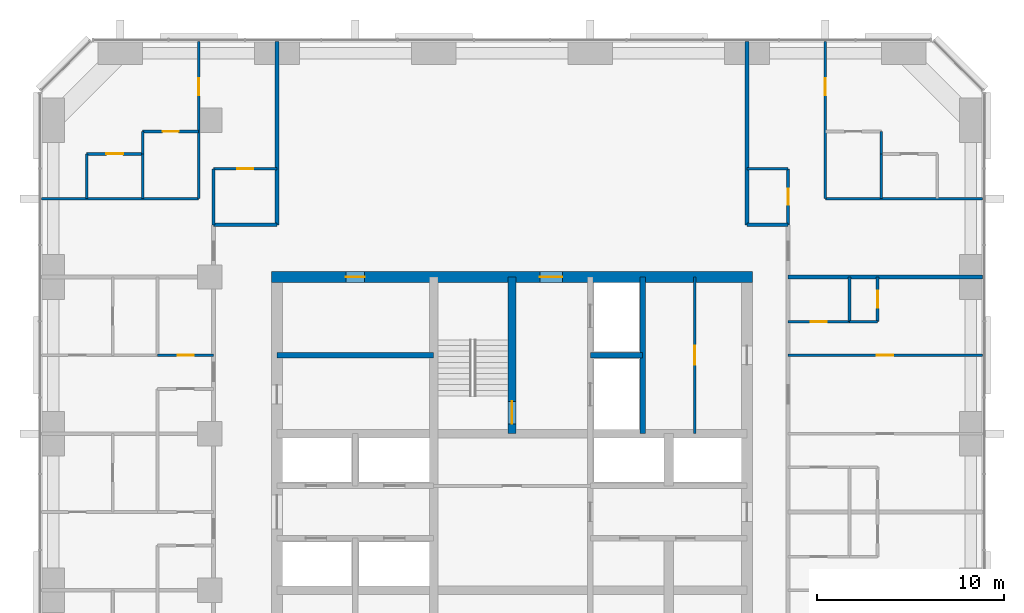
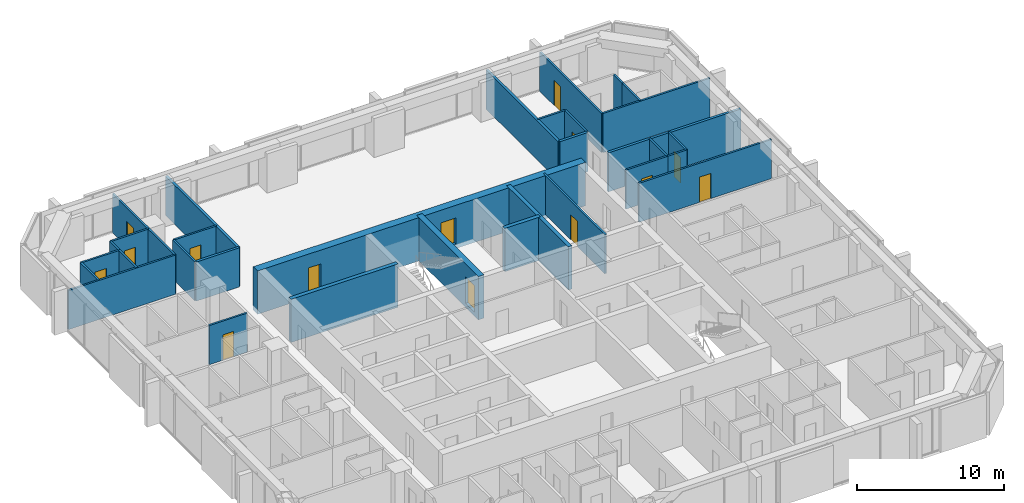
# One storey, part 12 of 14: 32 walls, 14 doors, 14 openings.
"""IFC4 building model written with IfcOpenShell, lengths in metres."""

import ifcopenshell
import ifcopenshell.guid

model = None  # the IFC model being written
_history = None  # IfcOwnerHistory: only IFC2X3 demands one
_inside = {}  # id of a spatial element -> (the spatial element, [elements in it])
_under = {}  # id of a project, library or spatial element -> (it, [spatial elements below it])
_declared = {}  # id of a project -> (the project, [libraries it declares])
_typed = {}  # id of a type object -> (the type object, [elements of that type])
_made_of = {}  # id of a material, layer set ... -> (it, [elements and type objects made of it])


def new_model(schema):
    """Start an empty IFC model of exactly this schema.

    Asked for "IFC4X3", IfcOpenShell would pick the latest addendum, in which some entities
    have other attributes; the version numbers below select the first issue.
    IFC2X3 requires an IfcOwnerHistory on every rooted entity: one is made here for all.
    """
    global model, _history
    if schema == "IFC4X3":
        model = ifcopenshell.file(schema_version=(4, 3, 0, 0))
    else:
        model = ifcopenshell.file(schema=schema)
    _inside.clear()
    _under.clear()
    _declared.clear()
    _typed.clear()
    _made_of.clear()
    _history = None
    if model.schema == "IFC2X3":
        org = make("IfcOrganization", Name="unknown")
        user = make(
            "IfcPersonAndOrganization",
            ThePerson=make("IfcPerson", FamilyName="unknown"),
            TheOrganization=org,
        )
        app = make(
            "IfcApplication",
            ApplicationDeveloper=org,
            Version="unknown",
            ApplicationFullName="unknown",
            ApplicationIdentifier="unknown",
        )
        _history = make(
            "IfcOwnerHistory",
            OwningUser=user,
            OwningApplication=app,
            ChangeAction="ADDED",
            CreationDate=0,
        )
    return model


def make(cls, **values):
    """One entity of the class cls with the attributes given. An attribute that is None is left unset."""
    return model.create_entity(
        cls, **{name: value for name, value in values.items() if value is not None}
    )


def rooted(cls, **values):
    """An entity with a GlobalId (a new one), such as an element, a storey or a relation."""
    return make(cls, GlobalId=ifcopenshell.guid.new(), OwnerHistory=_history, **values)


def si_unit(unit_type, name, prefix=None):
    """IfcSIUnit, for example si_unit("LENGTHUNIT", "METRE", prefix="MILLI")."""
    return make("IfcSIUnit", UnitType=unit_type, Prefix=prefix, Name=name)


def assignment(units):
    """IfcUnitAssignment: the units of a project."""
    return None if units is None else make("IfcUnitAssignment", Units=units)


def point(xyz):
    """IfcCartesianPoint."""
    return None if xyz is None else make("IfcCartesianPoint", Coordinates=xyz)


def direction(xyz):
    """IfcDirection."""
    return None if xyz is None else make("IfcDirection", DirectionRatios=xyz)


def frame(location, z_axis=None, x_axis=None):
    """IfcAxis2Placement3D, a coordinate frame: its origin and axes. An axis left out is left unset."""
    return make(
        "IfcAxis2Placement3D",
        Location=point(location),
        Axis=direction(z_axis),
        RefDirection=direction(x_axis),
    )


def frame_2d(location, x_axis=None):
    """IfcAxis2Placement2D, a coordinate frame in the plane: its origin and x axis."""
    return make(
        "IfcAxis2Placement2D", Location=point(location), RefDirection=direction(x_axis)
    )


def origin():
    """The frame at (0, 0, 0) with its axes left unset."""
    return frame((0.0, 0.0, 0.0))


def place(relative_to, where):
    """IfcLocalPlacement: puts the frame where relative to a parent placement (None: the world)."""
    return make(
        "IfcLocalPlacement", PlacementRelTo=relative_to, RelativePlacement=where
    )


def context(
    kind, dimensions, precision=None, world=None, true_north=None, identifier=None
):
    """IfcGeometricRepresentationContext, for example the 3D "Model" context."""
    return make(
        "IfcGeometricRepresentationContext",
        ContextIdentifier=identifier,
        ContextType=kind,
        CoordinateSpaceDimension=dimensions,
        Precision=precision,
        WorldCoordinateSystem=world,
        TrueNorth=true_north,
    )


def subcontext(parent, identifier, kind, view, scale=None):
    """IfcGeometricRepresentationSubContext, for example "Body" below "Model"."""
    return make(
        "IfcGeometricRepresentationSubContext",
        ContextIdentifier=identifier,
        ContextType=kind,
        ParentContext=parent,
        TargetScale=scale,
        TargetView=view,
    )


def project(units=None, contexts=None):
    """IfcProject with its units and contexts."""
    return rooted(
        "IfcProject",
        Name="project",
        RepresentationContexts=contexts,
        UnitsInContext=assignment(units),
    )


def spatial(cls, under=None, at=None, **own):
    """A site, building, storey or space (cls), placed at a placement, below another one or the project."""
    s = rooted(cls, ObjectPlacement=at, **own)
    if under is not None:
        _under.setdefault(under.id(), (under, []))[1].append(s)
    return s


def profile(cls, at=None, kind="AREA", **sizes):
    """A parametric profile (cls). Its sizes go by their IFC names, for example OverallWidth=200.0."""
    return make(cls, ProfileType=kind, Position=at, **sizes)


def rectangle(**sizes):
    """IfcRectangleProfileDef."""
    return profile("IfcRectangleProfileDef", **sizes)


def extrude(swept, where, along, depth):
    """IfcExtrudedAreaSolid: the profile swept, set in the frame where, extruded along a direction by depth."""
    return make(
        "IfcExtrudedAreaSolid",
        SweptArea=swept,
        Position=where,
        ExtrudedDirection=direction(along),
        Depth=depth,
    )


def shape(context_of_items, identifier, shape_type, items):
    """IfcShapeRepresentation: the items that make up one representation, for example the "Body"."""
    return make(
        "IfcShapeRepresentation",
        ContextOfItems=context_of_items,
        RepresentationIdentifier=identifier,
        RepresentationType=shape_type,
        Items=items,
    )


def material(Name=None, Category=None):
    """IfcMaterial."""
    return make("IfcMaterial", Name=Name, Category=Category)


def layer(
    of_material, thickness, ventilated=None, Name=None, Category=None, Priority=None
):
    """IfcMaterialLayer: one layer of a wall or slab, of a material (None: an air gap)."""
    return make(
        "IfcMaterialLayer",
        Material=of_material,
        LayerThickness=thickness,
        IsVentilated=ventilated,
        Name=Name,
        Category=Category,
        Priority=Priority,
    )


def layer_set(layers, Name=None):
    """IfcMaterialLayerSet."""
    return make("IfcMaterialLayerSet", MaterialLayers=layers, LayerSetName=Name)


def made_of(thing, what):
    """Note that an element or type object is made of a material, layer set ...; save() writes the relation."""
    if what is not None:
        _made_of.setdefault(what.id(), (what, []))[1].append(thing)
    return thing


def type_object(cls, material=None, **own):
    """A type object (cls), such as IfcWallType, which elements share."""
    return made_of(rooted(cls, **own), material)


def element(
    cls,
    number,
    at=None,
    inside=None,
    cuts=None,
    type_object=None,
    material=None,
    context=None,
    identifier="Body",
    shape_type=None,
    held_by="IfcProductDefinitionShape",
    body=None,
    shapes=None,
    **own,
):
    """One element of the class cls, such as IfcWall. Its Tag is "e" and its number.

    at: its placement. inside: the storey or other place that contains it. cuts: it is an
    opening in that element (IfcRelVoidsElement). A single representation is given by context,
    identifier, shape_type and body (its items); several are given by shapes. held_by: the class
    of the entity that holds the representations. save() writes the other relations.
    """
    e = rooted(cls, Tag="e%d" % number, ObjectPlacement=at, **own)
    if body is not None:
        shapes = [shape(context, identifier, shape_type, body)]
    if shapes is not None:
        e.Representation = make(held_by, Representations=shapes)
    if inside is not None:
        _inside.setdefault(inside.id(), (inside, []))[1].append(e)
    if cuts is not None:
        rooted(
            "IfcRelVoidsElement", RelatingBuildingElement=cuts, RelatedOpeningElement=e
        )
    if type_object is not None:
        _typed.setdefault(type_object.id(), (type_object, []))[1].append(e)
    return made_of(e, material)


def fill(opening, filler):
    """IfcRelFillsElement: the door or window that sits in an opening."""
    return rooted(
        "IfcRelFillsElement",
        RelatingOpeningElement=opening,
        RelatedBuildingElement=filler,
    )


def aggregate(whole, parts):
    """IfcRelAggregates: a whole, such as a stair, and the parts it consists of."""
    return rooted("IfcRelAggregates", RelatingObject=whole, RelatedObjects=parts)


def save(model, path):
    """Write the relations noted so far, then the file.

    IfcRelAggregates (storeys below a building ...), IfcRelContainedInSpatialStructure (elements
    in a storey), IfcRelDefinesByType, IfcRelAssociatesMaterial and IfcRelDeclares: one each for
    every whole, place, type object, material and project.
    """
    for whole, parts in _under.values():
        aggregate(whole, parts)
    for where, things in _inside.values():
        rooted(
            "IfcRelContainedInSpatialStructure",
            RelatedElements=things,
            RelatingStructure=where,
        )
    for kind, things in _typed.values():
        rooted("IfcRelDefinesByType", RelatedObjects=things, RelatingType=kind)
    for what, things in _made_of.values():
        rooted("IfcRelAssociatesMaterial", RelatedObjects=things, RelatingMaterial=what)
    for by, libraries in _declared.values():
        rooted("IfcRelDeclares", RelatingContext=by, RelatedDefinitions=libraries)
    model.write(path)


model = new_model("IFC4")

# Units and contexts
model_context = context("Model", 3, precision=1e-05, world=origin(), true_north=direction((0.0, 1.0)))
body_context = subcontext(model_context, "Body", "Model", "MODEL_VIEW")
ifc_project = project(units=[si_unit("LENGTHUNIT", "METRE"), si_unit("AREAUNIT", "SQUARE_METRE"), si_unit("VOLUMEUNIT", "CUBIC_METRE"), si_unit("PLANEANGLEUNIT", "RADIAN"), si_unit("MASSUNIT", "GRAM", prefix="KILO")], contexts=[model_context])

# Site, building, storey
site_placement = place(None, origin())
site = spatial("IfcSite", under=ifc_project, at=site_placement, CompositionType="ELEMENT")
building_placement = place(site_placement, origin())
building = spatial("IfcBuilding", under=site, at=building_placement, Name="Dunama Terrace Hotel", CompositionType="ELEMENT")
storey_placement = place(building_placement, frame((0.0, 0.0, 198.60009765625)))
storey = spatial("IfcBuildingStorey", under=building, at=storey_placement, Name="L51", CompositionType="ELEMENT", Elevation=198.60009765625)

# Walls
ifc_material_1 = material(Name="Gypsum board partition", Category="masonry")
ifc_layer_1 = layer(ifc_material_1, 0.14990234375)
ifc_layer_set_1 = layer_set([ifc_layer_1], Name="Bathroom partition 150")
wall_type_1 = type_object("IfcWallType", Name="Bathroom partition 150", PredefinedType="PARTITIONING", material=ifc_layer_set_1)
wall_1_placement = place(storey_placement, frame((9.60009765625, 48.60009765625, 0.0), z_axis=(0.0, 0.0, 1.0), x_axis=(0.0, 1.0, 0.0)))
element("IfcWall", 1, at=wall_1_placement, inside=storey, type_object=wall_type_1, Name="Bathroom partition 150 L51", PredefinedType="PARTITIONING", context=body_context, shape_type="SweptSolid", body=[
    extrude(rectangle(XDim=1.199951171875, YDim=0.14990234375, at=frame_2d((0.60009765625, 0.0))), origin(), (0.0, 0.0, 1.0), 3.25),
])
wall_2_placement = place(storey_placement, frame((13.39990234375, 44.800048828125, 0.0), z_axis=(0.0, 0.0, 1.0), x_axis=(0.0, 1.0, 0.0)))
element("IfcWall", 2, at=wall_2_placement, inside=storey, type_object=wall_type_1, Name="Bathroom partition 150 L51", PredefinedType="PARTITIONING", context=body_context, shape_type="SweptSolid", body=[
    extrude(rectangle(XDim=3.0, YDim=0.14990234375, at=frame_2d((1.5, 0.0))), origin(), (0.0, 0.0, 1.0), 3.25),
])

# Wall, opening, door
wall_3_placement = place(storey_placement, frame((44.199951171875, 44.800048828125, 0.0), z_axis=(0.0, 0.0, 1.0), x_axis=(0.0, 1.0, 0.0)))
wall_3 = element("IfcWall", 3, at=wall_3_placement, inside=storey, type_object=wall_type_1, Name="Bathroom partition 150 L51", PredefinedType="PARTITIONING", context=body_context, shape_type="SweptSolid", body=[
    extrude(rectangle(XDim=3.0, YDim=0.14990234375, at=frame_2d((1.5, 0.0))), origin(), (0.0, 0.0, 1.0), 3.25),
])
opening_1_placement = place(wall_3_placement, frame((1.074951171875, 0.0, 0.0)))
opening_1 = element("IfcOpeningElement", 4, at=opening_1_placement, cuts=wall_3, Name="Opening L51-52-064", PredefinedType="OPENING", context=body_context, shape_type="SweptSolid", body=[
    extrude(rectangle(XDim=0.85009765625, YDim=2.10009765625, at=frame_2d((0.425048828125, 1.050048828125))), frame((0.0, 0.0849609375, 0.0), z_axis=(0.0, -1.0, 0.0), x_axis=(1.0, 0.0, 0.0)), (0.0, 0.0, 1.0), 0.169921875),
])
ifc_material_2 = material(Name="Timber door with steel frame", Category="steel")
door_type_1 = type_object("IfcDoorType", Name="Bathroom door 850", OperationType="SINGLE_SWING_LEFT", PredefinedType="DOOR", material=ifc_material_2)
door_1_placement = place(opening_1_placement, origin())
door_1 = element("IfcDoor", 5, at=door_1_placement, inside=storey, type_object=door_type_1, Name="Door to powder room L51-52-064, type D2", OperationType="SINGLE_SWING_LEFT", OverallHeight=2.10009765625, OverallWidth=0.85009765625, PredefinedType="DOOR", context=body_context, shape_type="SweptSolid", body=[
    extrude(rectangle(XDim=0.85009765625, YDim=2.10009765625, at=frame_2d((0.425048828125, 1.050048828125))), frame((0.0, 0.02490234375, 0.0), z_axis=(0.0, -1.0, 0.0), x_axis=(1.0, 0.0, 0.0)), (0.0, 0.0, 1.0), 0.050048828125),
])
fill(opening_1, door_1)

# Wall
wall_4_placement = place(storey_placement, frame((49.199951171875, 48.60009765625, 0.0), z_axis=(0.0, 0.0, 1.0), x_axis=(0.0, 1.0, 0.0)))
element("IfcWall", 6, at=wall_4_placement, inside=storey, type_object=wall_type_1, Name="Bathroom partition 150 L51", PredefinedType="PARTITIONING", context=body_context, shape_type="SweptSolid", body=[
    extrude(rectangle(XDim=1.199951171875, YDim=0.14990234375, at=frame_2d((0.60009765625, 0.0))), origin(), (0.0, 0.0, 1.0), 3.25),
])

# Wall, opening, door
wall_5_placement = place(storey_placement, frame((10.39990234375, 37.800048828125, 0.0), z_axis=(0.0, 0.0, 1.0), x_axis=(1.0, 0.0, 0.0)))
wall_5 = element("IfcWall", 7, at=wall_5_placement, inside=storey, type_object=wall_type_1, Name="Bathroom partition 150 L51", PredefinedType="PARTITIONING", context=body_context, shape_type="SweptSolid", body=[
    extrude(rectangle(XDim=3.0, YDim=0.14990234375, at=frame_2d((1.5, 0.0))), origin(), (0.0, 0.0, 1.0), 3.25),
])
opening_2_placement = place(wall_5_placement, frame((1.074951171875, 0.0, 0.0)))
opening_2 = element("IfcOpeningElement", 8, at=opening_2_placement, cuts=wall_5, Name="Opening L51-52-050", PredefinedType="OPENING", context=body_context, shape_type="SweptSolid", body=[
    extrude(rectangle(XDim=0.85009765625, YDim=2.10009765625, at=frame_2d((0.425048828125, 1.050048828125))), frame((0.0, 0.0849609375, 0.0), z_axis=(0.0, -1.0, 0.0), x_axis=(1.0, 0.0, 0.0)), (0.0, 0.0, 1.0), 0.169921875),
])
door_2_placement = place(opening_2_placement, origin())
door_2 = element("IfcDoor", 9, at=door_2_placement, inside=storey, type_object=door_type_1, Name="Door to diplomatic residence bathroom L51-52-050, type D2", OperationType="SINGLE_SWING_RIGHT", OverallHeight=2.10009765625, OverallWidth=0.85009765625, PredefinedType="DOOR", context=body_context, shape_type="SweptSolid", body=[
    extrude(rectangle(XDim=0.85009765625, YDim=2.10009765625, at=frame_2d((0.425048828125, 1.050048828125))), frame((0.0, 0.02490234375, 0.0), z_axis=(0.0, -1.0, 0.0), x_axis=(1.0, 0.0, 0.0)), (0.0, 0.0, 1.0), 0.050048828125),
])
fill(opening_2, door_2)

wall_6_placement = place(storey_placement, frame((44.199951171875, 39.60009765625, 0.0), z_axis=(0.0, 0.0, 1.0), x_axis=(1.0, 0.0, 0.0)))
wall_6 = element("IfcWall", 10, at=wall_6_placement, inside=storey, type_object=wall_type_1, Name="Bathroom partition 150 L51", PredefinedType="PARTITIONING", context=body_context, shape_type="SweptSolid", body=[
    extrude(rectangle(XDim=3.300048828125, YDim=0.14990234375, at=frame_2d((1.64990234375, 0.0))), origin(), (0.0, 0.0, 1.0), 3.25),
])
opening_3_placement = place(wall_6_placement, frame((1.22509765625, 0.0, 0.0)))
opening_3 = element("IfcOpeningElement", 11, at=opening_3_placement, cuts=wall_6, Name="Opening L51-52-036", PredefinedType="OPENING", context=body_context, shape_type="SweptSolid", body=[
    extrude(rectangle(XDim=0.85009765625, YDim=2.10009765625, at=frame_2d((0.425048828125, 1.050048828125))), frame((0.0, 0.0849609375, 0.0), z_axis=(0.0, -1.0, 0.0), x_axis=(1.0, 0.0, 0.0)), (0.0, 0.0, 1.0), 0.169921875),
])
door_3_placement = place(opening_3_placement, origin())
door_3 = element("IfcDoor", 12, at=door_3_placement, inside=storey, type_object=door_type_1, Name="Door to en-suite bathroom L51-52-036, type D2", OperationType="SINGLE_SWING_LEFT", OverallHeight=2.10009765625, OverallWidth=0.85009765625, PredefinedType="DOOR", context=body_context, shape_type="SweptSolid", body=[
    extrude(rectangle(XDim=0.85009765625, YDim=2.10009765625, at=frame_2d((0.425048828125, 1.050048828125))), frame((0.0, 0.02490234375, 0.0), z_axis=(0.0, -1.0, 0.0), x_axis=(1.0, 0.0, 0.0)), (0.0, 0.0, 1.0), 0.050048828125),
])
fill(opening_3, door_3)

wall_7_placement = place(storey_placement, frame((13.39990234375, 47.800048828125, 0.0), z_axis=(0.0, 0.0, 1.0), x_axis=(1.0, 0.0, 0.0)))
wall_7 = element("IfcWall", 13, at=wall_7_placement, inside=storey, type_object=wall_type_1, Name="Bathroom partition 150 L51", PredefinedType="PARTITIONING", context=body_context, shape_type="SweptSolid", body=[
    extrude(rectangle(XDim=3.400146484375, YDim=0.14990234375, at=frame_2d((1.7001953125, 0.0))), origin(), (0.0, 0.0, 1.0), 3.25),
])
opening_4_placement = place(wall_7_placement, frame((1.27490234375, 0.0, 0.0)))
opening_4 = element("IfcOpeningElement", 14, at=opening_4_placement, cuts=wall_7, Name="Opening L51-52-069", PredefinedType="OPENING", context=body_context, shape_type="SweptSolid", body=[
    extrude(rectangle(XDim=0.85009765625, YDim=2.10009765625, at=frame_2d((0.425048828125, 1.050048828125))), frame((0.0, 0.0849609375, 0.0), z_axis=(0.0, -1.0, 0.0), x_axis=(1.0, 0.0, 0.0)), (0.0, 0.0, 1.0), 0.169921875),
])
door_4_placement = place(opening_4_placement, frame((0.85009765625, 0.0, 0.0), z_axis=(0.0, 0.0, 1.0), x_axis=(-1.0, 0.0, 0.0)))
door_4 = element("IfcDoor", 15, at=door_4_placement, inside=storey, type_object=door_type_1, Name="Door to powder room L51-52-069, type D2", OperationType="SINGLE_SWING_LEFT", OverallHeight=2.10009765625, OverallWidth=0.85009765625, PredefinedType="DOOR", context=body_context, shape_type="SweptSolid", body=[
    extrude(rectangle(XDim=0.85009765625, YDim=2.10009765625, at=frame_2d((0.425048828125, 1.050048828125))), frame((0.0, 0.025146484375, 0.0), z_axis=(0.0, -1.0, 0.0), x_axis=(1.0, 0.0, 0.0)), (0.0, 0.0, 1.0), 0.050048828125),
])
fill(opening_4, door_4)

# Wall
wall_8_placement = place(storey_placement, frame((42.0, 47.800048828125, 0.0), z_axis=(0.0, 0.0, 1.0), x_axis=(1.0, 0.0, 0.0)))
element("IfcWall", 16, at=wall_8_placement, inside=storey, type_object=wall_type_1, Name="Bathroom partition 150 L51", PredefinedType="PARTITIONING", context=body_context, shape_type="SweptSolid", body=[
    extrude(rectangle(XDim=2.199951171875, YDim=0.14990234375, at=frame_2d((1.10009765625, 0.0))), origin(), (0.0, 0.0, 1.0), 3.25),
])

# Wall, opening, door
wall_9_placement = place(storey_placement, frame((9.60009765625, 49.800048828125, 0.0), z_axis=(0.0, 0.0, 1.0), x_axis=(1.0, 0.0, 0.0)))
wall_9 = element("IfcWall", 17, at=wall_9_placement, inside=storey, type_object=wall_type_1, Name="Bathroom partition 150 L51", PredefinedType="PARTITIONING", context=body_context, shape_type="SweptSolid", body=[
    extrude(rectangle(XDim=3.0, YDim=0.14990234375, at=frame_2d((1.5, 0.0))), origin(), (0.0, 0.0, 1.0), 3.25),
])
opening_5_placement = place(wall_9_placement, frame((1.074951171875, 0.0, 0.0)))
opening_5 = element("IfcOpeningElement", 18, at=opening_5_placement, cuts=wall_9, Name="Opening L51-52-071", PredefinedType="OPENING", context=body_context, shape_type="SweptSolid", body=[
    extrude(rectangle(XDim=0.85009765625, YDim=2.10009765625, at=frame_2d((0.425048828125, 1.050048828125))), frame((0.0, 0.0849609375, 0.0), z_axis=(0.0, -1.0, 0.0), x_axis=(1.0, 0.0, 0.0)), (0.0, 0.0, 1.0), 0.169921875),
])
door_5_placement = place(opening_5_placement, frame((0.85009765625, 0.0, 0.0), z_axis=(0.0, 0.0, 1.0), x_axis=(-1.0, 0.0, 0.0)))
door_5 = element("IfcDoor", 19, at=door_5_placement, inside=storey, type_object=door_type_1, Name="Door to en-suite bathroom L51-52-071, type D2", OperationType="SINGLE_SWING_RIGHT", OverallHeight=2.10009765625, OverallWidth=0.85009765625, PredefinedType="DOOR", context=body_context, shape_type="SweptSolid", body=[
    extrude(rectangle(XDim=0.85009765625, YDim=2.10009765625, at=frame_2d((0.425048828125, 1.050048828125))), frame((0.0, 0.025146484375, 0.0), z_axis=(0.0, -1.0, 0.0), x_axis=(1.0, 0.0, 0.0)), (0.0, 0.0, 1.0), 0.050048828125),
])
fill(opening_5, door_5)

# Walls
ifc_material_3 = material(Name="Concrete C50/60", Category="concrete")
ifc_layer_2 = layer(ifc_material_3, 0.300048828125)
ifc_layer_set_2 = layer_set([ifc_layer_2], Name="Core inner wall 300")
wall_type_2 = type_object("IfcWallType", Name="Core inner wall 300", PredefinedType="SHEAR", material=ifc_layer_set_2)
for number, where, z_axis, x_axis, name in (
    (20, (36.39990234375, 33.60009765625, -0.35009765625), (0.0, 0.0, 1.0), (0.0, 1.0, 0.0), "Core inner wall 300 L51"),
    (21, (16.800048828125, 37.800048828125, -0.35009765625), (0.0, 0.0, 1.0), (1.0, 0.0, 0.0), "Core inner wall 300 L51"),
):
    element("IfcWall", number, at=place(storey_placement, frame(where, z_axis=z_axis, x_axis=x_axis)), inside=storey, type_object=wall_type_2, Name=name, PredefinedType="SHEAR", context=body_context, shape_type="SweptSolid", body=[
        extrude(rectangle(XDim=8.39990234375, YDim=0.300048828125, at=frame_2d((4.199951171875, 0.0))), origin(), (0.0, 0.0, 1.0), 3.60009765625),
    ])
wall_10_placement = place(storey_placement, frame((33.60009765625, 37.800048828125, -0.35009765625), z_axis=(0.0, 0.0, 1.0), x_axis=(1.0, 0.0, 0.0)))
element("IfcWall", 22, at=wall_10_placement, inside=storey, type_object=wall_type_2, Name="Core inner wall 300 L51", PredefinedType="SHEAR", context=body_context, shape_type="SweptSolid", body=[
    extrude(rectangle(XDim=2.7998046875, YDim=0.300048828125, at=frame_2d((1.39990234375, 0.0))), origin(), (0.0, 0.0, 1.0), 3.60009765625),
])

# Wall, opening, door
ifc_material_4 = material(Name="Concrete C50/60", Category="concrete")
ifc_layer_3 = layer(ifc_material_4, 0.449951171875)
ifc_layer_set_3 = layer_set([ifc_layer_3], Name="Core inner wall 450")
wall_type_3 = type_object("IfcWallType", Name="Core inner wall 450", PredefinedType="SHEAR", material=ifc_layer_set_3)
wall_11_placement = place(storey_placement, frame((29.39990234375, 33.60009765625, -0.35009765625), z_axis=(0.0, 0.0, 1.0), x_axis=(0.0, 1.0, 0.0)))
wall_11 = element("IfcWall", 23, at=wall_11_placement, inside=storey, type_object=wall_type_3, Name="Core inner wall 450 L51", PredefinedType="SHEAR", context=body_context, shape_type="SweptSolid", body=[
    extrude(rectangle(XDim=8.39990234375, YDim=0.449951171875, at=frame_2d((4.199951171875, 0.0))), origin(), (0.0, 0.0, 1.0), 3.60009765625),
])
opening_6_placement = place(wall_11_placement, frame((0.52490234375, 0.0, 0.35009765625)))
opening_6 = element("IfcOpeningElement", 24, at=opening_6_placement, cuts=wall_11, Name="Opening L51-52-001", PredefinedType="OPENING", context=body_context, shape_type="SweptSolid", body=[
    extrude(rectangle(XDim=1.199951171875, YDim=2.199951171875, at=frame_2d((0.60009765625, 1.10009765625))), frame((0.0, 0.23486328125, 0.0), z_axis=(0.0, -1.0, 0.0), x_axis=(1.0, 0.0, 0.0)), (0.0, 0.0, 1.0), 0.469970703125),
])
ifc_material_5 = material(Name="Timber door with steel frame", Category="steel")
door_type_2 = type_object("IfcDoorType", Name="Stair door 1200", OperationType="SINGLE_SWING_LEFT", PredefinedType="DOOR", material=ifc_material_5)
door_6_placement = place(opening_6_placement, origin())
door_6 = element("IfcDoor", 25, at=door_6_placement, inside=storey, type_object=door_type_2, Name="Stair door ST1 L51-52-001, type D5", OperationType="SINGLE_SWING_LEFT", OverallHeight=2.199951171875, OverallWidth=1.199951171875, PredefinedType="DOOR", context=body_context, shape_type="SweptSolid", body=[
    extrude(rectangle(XDim=1.199951171875, YDim=2.199951171875, at=frame_2d((0.60009765625, 1.10009765625))), frame((0.0, 0.02490234375, 0.0), z_axis=(0.0, -1.0, 0.0), x_axis=(1.0, 0.0, 0.0)), (0.0, 0.0, 1.0), 0.050048828125),
])
fill(opening_6, door_6)

# Wall, openings, doors
ifc_material_6 = material(Name="Concrete C50/60", Category="concrete")
ifc_layer_4 = layer(ifc_material_6, 0.60009765625)
ifc_layer_set_4 = layer_set([ifc_layer_4], Name="Core wall 600")
wall_type_4 = type_object("IfcWallType", Name="Core wall 600", PredefinedType="SHEAR", material=ifc_layer_set_4)
wall_12_placement = place(storey_placement, frame((42.300048828125, 42.0, -0.35009765625), z_axis=(0.0, 0.0, 1.0), x_axis=(-1.0, 0.0, 0.0)))
wall_12 = element("IfcWall", 26, at=wall_12_placement, inside=storey, type_object=wall_type_4, Name="Core wall north L51", PredefinedType="SHEAR", context=body_context, shape_type="SweptSolid", body=[
    extrude(rectangle(XDim=25.800048828125, YDim=0.60009765625, at=frame_2d((12.89990234375, 0.0))), origin(), (0.0, 0.0, 1.0), 3.60009765625),
])
opening_7_placement = place(wall_12_placement, frame((20.800048828125, 0.0, 0.35009765625)))
opening_7 = element("IfcOpeningElement", 27, at=opening_7_placement, cuts=wall_12, Name="Opening L51-52-080", PredefinedType="OPENING", context=body_context, shape_type="SweptSolid", body=[
    extrude(rectangle(XDim=1.0, YDim=2.10009765625, at=frame_2d((0.5, 1.050048828125))), frame((0.0, 0.31005859375, 0.0), z_axis=(0.0, -1.0, 0.0), x_axis=(1.0, 0.0, 0.0)), (0.0, 0.0, 1.0), 0.6201171875),
])
opening_8_placement = place(wall_12_placement, frame((10.199951171875, 0.0, 0.35009765625)))
opening_8 = element("IfcOpeningElement", 28, at=opening_8_placement, cuts=wall_12, Name="Opening L51-52-086", PredefinedType="OPENING", context=body_context, shape_type="SweptSolid", body=[
    extrude(rectangle(XDim=1.199951171875, YDim=2.199951171875, at=frame_2d((0.60009765625, 1.10009765625))), frame((0.0, 0.31005859375, 0.0), z_axis=(0.0, -1.0, 0.0), x_axis=(1.0, 0.0, 0.0)), (0.0, 0.0, 1.0), 0.6201171875),
])
ifc_material_7 = material(Name="Timber door with steel frame", Category="steel")
door_type_3 = type_object("IfcDoorType", Name="Firefighting lobby door 1200", OperationType="SINGLE_SWING_LEFT", PredefinedType="DOOR", material=ifc_material_7)
door_7_placement = place(opening_8_placement, origin())
door_7 = element("IfcDoor", 29, at=door_7_placement, inside=storey, type_object=door_type_3, Name="Door to firefighting lobby L51-52-086, type D4", OperationType="SINGLE_SWING_RIGHT", OverallHeight=2.199951171875, OverallWidth=1.199951171875, PredefinedType="DOOR", context=body_context, shape_type="SweptSolid", body=[
    extrude(rectangle(XDim=1.199951171875, YDim=2.199951171875, at=frame_2d((0.60009765625, 1.10009765625))), frame((0.0, 0.02490234375, 0.0), z_axis=(0.0, -1.0, 0.0), x_axis=(1.0, 0.0, 0.0)), (0.0, 0.0, 1.0), 0.050048828125),
])
fill(opening_8, door_7)
ifc_material_8 = material(Name="Timber door with steel frame", Category="steel")
door_type_4 = type_object("IfcDoorType", Name="Service door 1000", OperationType="SINGLE_SWING_LEFT", PredefinedType="DOOR", material=ifc_material_8)
door_8_placement = place(opening_7_placement, origin())
door_8 = element("IfcDoor", 30, at=door_8_placement, inside=storey, type_object=door_type_4, Name="Door to communications and riser room L51-52-080, type D7", OperationType="SINGLE_SWING_LEFT", OverallHeight=2.10009765625, OverallWidth=1.0, PredefinedType="DOOR", context=body_context, shape_type="SweptSolid", body=[
    extrude(rectangle(XDim=1.0, YDim=2.10009765625, at=frame_2d((0.5, 1.050048828125))), frame((0.0, 0.02490234375, 0.0), z_axis=(0.0, -1.0, 0.0), x_axis=(1.0, 0.0, 0.0)), (0.0, 0.0, 1.0), 0.050048828125),
])
fill(opening_7, door_8)

# Walls
ifc_material_9 = material(Name="Concrete blockwork", Category="masonry")
ifc_layer_5 = layer(ifc_material_9, 0.199951171875)
ifc_layer_set_5 = layer_set([ifc_layer_5], Name="Corridor partition 200")
wall_type_5 = type_object("IfcWallType", Name="Corridor partition 200", PredefinedType="PARTITIONING", material=ifc_layer_set_5)
wall_13_placement = place(storey_placement, frame((16.800048828125, 44.800048828125, 0.0), z_axis=(0.0, 0.0, 1.0), x_axis=(0.0, 1.0, 0.0)))
element("IfcWall", 31, at=wall_13_placement, inside=storey, type_object=wall_type_5, Name="Corridor partition 200 L51", PredefinedType="PARTITIONING", context=body_context, shape_type="SweptSolid", body=[
    extrude(rectangle(XDim=9.81787109375, YDim=0.199951171875, at=frame_2d((4.908935546875, 0.0))), origin(), (0.0, 0.0, 1.0), 3.25),
])
wall_14_placement = place(storey_placement, frame((13.39990234375, 44.800048828125, 0.0), z_axis=(0.0, 0.0, 1.0), x_axis=(1.0, 0.0, 0.0)))
element("IfcWall", 32, at=wall_14_placement, inside=storey, type_object=wall_type_5, Name="Corridor partition 200 L51", PredefinedType="PARTITIONING", context=body_context, shape_type="SweptSolid", body=[
    extrude(rectangle(XDim=3.400146484375, YDim=0.199951171875, at=frame_2d((1.7001953125, 0.0))), origin(), (0.0, 0.0, 1.0), 3.25),
])
wall_15_placement = place(storey_placement, frame((42.0, 44.800048828125, 0.0), z_axis=(0.0, 0.0, 1.0), x_axis=(1.0, 0.0, 0.0)))
element("IfcWall", 33, at=wall_15_placement, inside=storey, type_object=wall_type_5, Name="Corridor partition 200 L51", PredefinedType="PARTITIONING", context=body_context, shape_type="SweptSolid", body=[
    extrude(rectangle(XDim=2.199951171875, YDim=0.199951171875, at=frame_2d((1.10009765625, 0.0))), origin(), (0.0, 0.0, 1.0), 3.25),
])
wall_16_placement = place(storey_placement, frame((42.0, 54.617919921875, 0.0), z_axis=(0.0, 0.0, 1.0), x_axis=(0.0, -1.0, 0.0)))
element("IfcWall", 34, at=wall_16_placement, inside=storey, type_object=wall_type_5, Name="Corridor partition 200 L51", PredefinedType="PARTITIONING", context=body_context, shape_type="SweptSolid", body=[
    extrude(rectangle(XDim=9.81787109375, YDim=0.199951171875, at=frame_2d((4.908935546875, 0.0))), origin(), (0.0, 0.0, 1.0), 3.25),
])
ifc_material_10 = material(Name="Concrete blockwork", Category="masonry")
ifc_layer_6 = layer(ifc_material_10, 0.199951171875)
ifc_layer_set_6 = layer_set([ifc_layer_6], Name="Party wall 200")
wall_type_6 = type_object("IfcWallType", Name="Party wall 200", PredefinedType="PARTITIONING", material=ifc_layer_set_6)
wall_17_placement = place(storey_placement, frame((44.199951171875, 42.0, 0.0), z_axis=(0.0, 0.0, 1.0), x_axis=(1.0, 0.0, 0.0)))
element("IfcWall", 35, at=wall_17_placement, inside=storey, type_object=wall_type_6, Name="Party wall 200 L51", PredefinedType="PARTITIONING", context=body_context, shape_type="SweptSolid", body=[
    extrude(rectangle(XDim=10.41796875, YDim=0.199951171875, at=frame_2d((5.208984375, 0.0))), origin(), (0.0, 0.0, 1.0), 3.25),
])
ifc_material_11 = material(Name="Gypsum board partition", Category="masonry")
ifc_layer_7 = layer(ifc_material_11, 0.14990234375)
ifc_layer_set_7 = layer_set([ifc_layer_7], Name="Room partition 150")
wall_type_7 = type_object("IfcWallType", Name="Room partition 150", PredefinedType="PARTITIONING", material=ifc_layer_set_7)
for number, where, z_axis, x_axis, name in (
    (36, (6.60009765625, 46.199951171875, 0.0), (0.0, 0.0, 1.0), (0.0, 1.0, 0.0), "Room partition 150 L51"),
    (37, (9.60009765625, 46.199951171875, 0.0), (0.0, 0.0, 1.0), (0.0, 1.0, 0.0), "Room partition 150 L51"),
):
    element("IfcWall", number, at=place(storey_placement, frame(where, z_axis=z_axis, x_axis=x_axis)), inside=storey, type_object=wall_type_7, Name=name, PredefinedType="PARTITIONING", context=body_context, shape_type="SweptSolid", body=[
        extrude(rectangle(XDim=2.400146484375, YDim=0.14990234375, at=frame_2d((1.2001953125, 0.0))), origin(), (0.0, 0.0, 1.0), 3.25),
    ])

# Wall, opening, door
wall_18_placement = place(storey_placement, frame((12.60009765625, 46.199951171875, 0.0), z_axis=(0.0, 0.0, 1.0), x_axis=(0.0, 1.0, 0.0)))
wall_18 = element("IfcWall", 38, at=wall_18_placement, inside=storey, type_object=wall_type_7, Name="Room partition 150 L51", PredefinedType="PARTITIONING", context=body_context, shape_type="SweptSolid", body=[
    extrude(rectangle(XDim=8.41796875, YDim=0.14990234375, at=frame_2d((4.208984375, 0.0))), origin(), (0.0, 0.0, 1.0), 3.25),
])
opening_9_placement = place(wall_18_placement, frame((5.550048828125, 0.0, 0.0)))
opening_9 = element("IfcOpeningElement", 39, at=opening_9_placement, cuts=wall_18, Name="Opening L51-52-070", PredefinedType="OPENING", context=body_context, shape_type="SweptSolid", body=[
    extrude(rectangle(XDim=0.89990234375, YDim=2.10009765625, at=frame_2d((0.449951171875, 1.050048828125))), frame((0.0, 0.0849609375, 0.0), z_axis=(0.0, -1.0, 0.0), x_axis=(1.0, 0.0, 0.0)), (0.0, 0.0, 1.0), 0.169921875),
])
ifc_material_12 = material(Name="Timber door with steel frame", Category="steel")
door_type_5 = type_object("IfcDoorType", Name="Suite internal door 900", OperationType="SINGLE_SWING_LEFT", PredefinedType="DOOR", material=ifc_material_12)
door_9_placement = place(opening_9_placement, origin())
door_9 = element("IfcDoor", 40, at=door_9_placement, inside=storey, type_object=door_type_5, Name="Door to corner suite bedroom L51-52-070, type D16", OperationType="SINGLE_SWING_LEFT", OverallHeight=2.10009765625, OverallWidth=0.89990234375, PredefinedType="DOOR", context=body_context, shape_type="SweptSolid", body=[
    extrude(rectangle(XDim=0.89990234375, YDim=2.10009765625, at=frame_2d((0.449951171875, 1.050048828125))), frame((0.0, 0.02490234375, 0.0), z_axis=(0.0, -1.0, 0.0), x_axis=(1.0, 0.0, 0.0)), (0.0, 0.0, 1.0), 0.050048828125),
])
fill(opening_9, door_9)

wall_19_placement = place(storey_placement, frame((39.199951171875, 33.60009765625, 0.0), z_axis=(0.0, 0.0, 1.0), x_axis=(0.0, 1.0, 0.0)))
wall_19 = element("IfcWall", 41, at=wall_19_placement, inside=storey, type_object=wall_type_7, Name="Room partition 150 L51", PredefinedType="PARTITIONING", context=body_context, shape_type="SweptSolid", body=[
    extrude(rectangle(XDim=8.39990234375, YDim=0.14990234375, at=frame_2d((4.199951171875, 0.0))), origin(), (0.0, 0.0, 1.0), 3.25),
])
opening_10_placement = place(wall_19_placement, frame((3.699951171875, 0.0, 0.0)))
opening_10 = element("IfcOpeningElement", 42, at=opening_10_placement, cuts=wall_19, Name="Opening L51-52-088", PredefinedType="OPENING", context=body_context, shape_type="SweptSolid", body=[
    extrude(rectangle(XDim=1.0, YDim=2.10009765625, at=frame_2d((0.5, 1.050048828125))), frame((0.0, 0.0849609375, 0.0), z_axis=(0.0, -1.0, 0.0), x_axis=(1.0, 0.0, 0.0)), (0.0, 0.0, 1.0), 0.169921875),
])
door_10_placement = place(opening_10_placement, origin())
door_10 = element("IfcDoor", 43, at=door_10_placement, inside=storey, type_object=door_type_4, Name="Door to luggage store L51-52-088, type D7", OperationType="SINGLE_SWING_LEFT", OverallHeight=2.10009765625, OverallWidth=1.0, PredefinedType="DOOR", context=body_context, shape_type="SweptSolid", body=[
    extrude(rectangle(XDim=1.0, YDim=2.10009765625, at=frame_2d((0.5, 1.050048828125))), frame((0.0, 0.02490234375, 0.0), z_axis=(0.0, -1.0, 0.0), x_axis=(1.0, 0.0, 0.0)), (0.0, 0.0, 1.0), 0.050048828125),
])
fill(opening_10, door_10)

wall_20_placement = place(storey_placement, frame((46.199951171875, 46.199951171875, 0.0), z_axis=(0.0, 0.0, 1.0), x_axis=(0.0, 1.0, 0.0)))
wall_20 = element("IfcWall", 44, at=wall_20_placement, inside=storey, type_object=wall_type_7, Name="Room partition 150 L51", PredefinedType="PARTITIONING", context=body_context, shape_type="SweptSolid", body=[
    extrude(rectangle(XDim=8.41796875, YDim=0.14990234375, at=frame_2d((4.208984375, 0.0))), origin(), (0.0, 0.0, 1.0), 3.25),
])
opening_11_placement = place(wall_20_placement, frame((5.550048828125, 0.0, 0.0)))
opening_11 = element("IfcOpeningElement", 45, at=opening_11_placement, cuts=wall_20, Name="Opening L51-52-065", PredefinedType="OPENING", context=body_context, shape_type="SweptSolid", body=[
    extrude(rectangle(XDim=0.89990234375, YDim=2.10009765625, at=frame_2d((0.449951171875, 1.050048828125))), frame((0.0, 0.0849609375, 0.0), z_axis=(0.0, -1.0, 0.0), x_axis=(1.0, 0.0, 0.0)), (0.0, 0.0, 1.0), 0.169921875),
])
door_11_placement = place(opening_11_placement, frame((0.89990234375, 0.0, 0.0), z_axis=(0.0, 0.0, 1.0), x_axis=(-1.0, 0.0, 0.0)))
door_11 = element("IfcDoor", 46, at=door_11_placement, inside=storey, type_object=door_type_5, Name="Door to corner suite bedroom L51-52-065, type D16", OperationType="SINGLE_SWING_RIGHT", OverallHeight=2.10009765625, OverallWidth=0.89990234375, PredefinedType="DOOR", context=body_context, shape_type="SweptSolid", body=[
    extrude(rectangle(XDim=0.89990234375, YDim=2.10009765625, at=frame_2d((0.449951171875, 1.050048828125))), frame((0.0, 0.025146484375, 0.0), z_axis=(0.0, -1.0, 0.0), x_axis=(1.0, 0.0, 0.0)), (0.0, 0.0, 1.0), 0.050048828125),
])
fill(opening_11, door_11)

# Wall
wall_21_placement = place(storey_placement, frame((47.5, 39.60009765625, 0.0), z_axis=(0.0, 0.0, 1.0), x_axis=(0.0, 1.0, 0.0)))
element("IfcWall", 47, at=wall_21_placement, inside=storey, type_object=wall_type_7, Name="Room partition 150 L51", PredefinedType="PARTITIONING", context=body_context, shape_type="SweptSolid", body=[
    extrude(rectangle(XDim=2.39990234375, YDim=0.14990234375, at=frame_2d((1.199951171875, 0.0))), origin(), (0.0, 0.0, 1.0), 3.25),
])

# Wall, opening, door
wall_22_placement = place(storey_placement, frame((49.0, 39.60009765625, 0.0), z_axis=(0.0, 0.0, 1.0), x_axis=(0.0, 1.0, 0.0)))
wall_22 = element("IfcWall", 48, at=wall_22_placement, inside=storey, type_object=wall_type_7, Name="Room partition 150 L51", PredefinedType="PARTITIONING", context=body_context, shape_type="SweptSolid", body=[
    extrude(rectangle(XDim=2.39990234375, YDim=0.14990234375, at=frame_2d((1.199951171875, 0.0))), origin(), (0.0, 0.0, 1.0), 3.25),
])
opening_12_placement = place(wall_22_placement, frame((0.75, 0.0, 0.0)))
opening_12 = element("IfcOpeningElement", 49, at=opening_12_placement, cuts=wall_22, Name="Opening L51-52-037", PredefinedType="OPENING", context=body_context, shape_type="SweptSolid", body=[
    extrude(rectangle(XDim=0.89990234375, YDim=2.10009765625, at=frame_2d((0.449951171875, 1.050048828125))), frame((0.0, 0.0849609375, 0.0), z_axis=(0.0, -1.0, 0.0), x_axis=(1.0, 0.0, 0.0)), (0.0, 0.0, 1.0), 0.169921875),
])
door_12_placement = place(opening_12_placement, origin())
door_12 = element("IfcDoor", 50, at=door_12_placement, inside=storey, type_object=door_type_5, Name="Door to walk-in wardrobe L51-52-037, type D16", OperationType="SINGLE_SWING_LEFT", OverallHeight=2.10009765625, OverallWidth=0.89990234375, PredefinedType="DOOR", context=body_context, shape_type="SweptSolid", body=[
    extrude(rectangle(XDim=0.89990234375, YDim=2.10009765625, at=frame_2d((0.449951171875, 1.050048828125))), frame((0.0, 0.02490234375, 0.0), z_axis=(0.0, -1.0, 0.0), x_axis=(1.0, 0.0, 0.0)), (0.0, 0.0, 1.0), 0.050048828125),
])
fill(opening_12, door_12)

# Wall
wall_23_placement = place(storey_placement, frame((49.199951171875, 46.199951171875, 0.0), z_axis=(0.0, 0.0, 1.0), x_axis=(0.0, 1.0, 0.0)))
element("IfcWall", 51, at=wall_23_placement, inside=storey, type_object=wall_type_7, Name="Room partition 150 L51", PredefinedType="PARTITIONING", context=body_context, shape_type="SweptSolid", body=[
    extrude(rectangle(XDim=2.400146484375, YDim=0.14990234375, at=frame_2d((1.2001953125, 0.0))), origin(), (0.0, 0.0, 1.0), 3.25),
])

# Wall, opening, door
wall_24_placement = place(storey_placement, frame((44.199951171875, 37.800048828125, 0.0), z_axis=(0.0, 0.0, 1.0), x_axis=(1.0, 0.0, 0.0)))
wall_24 = element("IfcWall", 52, at=wall_24_placement, inside=storey, type_object=wall_type_7, Name="Room partition 150 L51", PredefinedType="PARTITIONING", context=body_context, shape_type="SweptSolid", body=[
    extrude(rectangle(XDim=10.41796875, YDim=0.14990234375, at=frame_2d((5.208984375, 0.0))), origin(), (0.0, 0.0, 1.0), 3.25),
])
opening_13_placement = place(wall_24_placement, frame((4.75, 0.0, 0.0)))
opening_13 = element("IfcOpeningElement", 53, at=opening_13_placement, cuts=wall_24, Name="Opening L51-52-035", PredefinedType="OPENING", context=body_context, shape_type="SweptSolid", body=[
    extrude(rectangle(XDim=0.89990234375, YDim=2.10009765625, at=frame_2d((0.449951171875, 1.050048828125))), frame((0.0, 0.0849609375, 0.0), z_axis=(0.0, -1.0, 0.0), x_axis=(1.0, 0.0, 0.0)), (0.0, 0.0, 1.0), 0.169921875),
])
door_13_placement = place(opening_13_placement, origin())
door_13 = element("IfcDoor", 54, at=door_13_placement, inside=storey, type_object=door_type_5, Name="Door to family club suite second bedroom L51-52-035, type D16", OperationType="SINGLE_SWING_LEFT", OverallHeight=2.10009765625, OverallWidth=0.89990234375, PredefinedType="DOOR", context=body_context, shape_type="SweptSolid", body=[
    extrude(rectangle(XDim=0.89990234375, YDim=2.10009765625, at=frame_2d((0.449951171875, 1.050048828125))), frame((0.0, 0.02490234375, 0.0), z_axis=(0.0, -1.0, 0.0), x_axis=(1.0, 0.0, 0.0)), (0.0, 0.0, 1.0), 0.050048828125),
])
fill(opening_13, door_13)

# Walls
wall_25_placement = place(storey_placement, frame((47.5, 39.60009765625, 0.0), z_axis=(0.0, 0.0, 1.0), x_axis=(1.0, 0.0, 0.0)))
element("IfcWall", 55, at=wall_25_placement, inside=storey, type_object=wall_type_7, Name="Room partition 150 L51", PredefinedType="PARTITIONING", context=body_context, shape_type="SweptSolid", body=[
    extrude(rectangle(XDim=1.5, YDim=0.14990234375, at=frame_2d((0.75, 0.0))), origin(), (0.0, 0.0, 1.0), 3.25),
])
wall_26_placement = place(storey_placement, frame((4.181884765625, 46.199951171875, 0.0), z_axis=(0.0, 0.0, 1.0), x_axis=(1.0, 0.0, 0.0)))
element("IfcWall", 56, at=wall_26_placement, inside=storey, type_object=wall_type_7, Name="Room partition 150 L51", PredefinedType="PARTITIONING", context=body_context, shape_type="SweptSolid", body=[
    extrude(rectangle(XDim=8.418212890625, YDim=0.14990234375, at=frame_2d((4.208984375, 0.0))), origin(), (0.0, 0.0, 1.0), 3.25),
])
wall_27_placement = place(storey_placement, frame((46.199951171875, 46.199951171875, 0.0), z_axis=(0.0, 0.0, 1.0), x_axis=(1.0, 0.0, 0.0)))
element("IfcWall", 57, at=wall_27_placement, inside=storey, type_object=wall_type_7, Name="Room partition 150 L51", PredefinedType="PARTITIONING", context=body_context, shape_type="SweptSolid", body=[
    extrude(rectangle(XDim=8.41796875, YDim=0.14990234375, at=frame_2d((4.208984375, 0.0))), origin(), (0.0, 0.0, 1.0), 3.25),
])

# Wall, opening, door
wall_28_placement = place(storey_placement, frame((6.60009765625, 48.60009765625, 0.0), z_axis=(0.0, 0.0, 1.0), x_axis=(1.0, 0.0, 0.0)))
wall_28 = element("IfcWall", 58, at=wall_28_placement, inside=storey, type_object=wall_type_7, Name="Room partition 150 L51", PredefinedType="PARTITIONING", context=body_context, shape_type="SweptSolid", body=[
    extrude(rectangle(XDim=3.0, YDim=0.14990234375, at=frame_2d((1.5, 0.0))), origin(), (0.0, 0.0, 1.0), 3.25),
])
opening_14_placement = place(wall_28_placement, frame((1.050048828125, 0.0, 0.0)))
opening_14 = element("IfcOpeningElement", 59, at=opening_14_placement, cuts=wall_28, Name="Opening L51-52-072", PredefinedType="OPENING", context=body_context, shape_type="SweptSolid", body=[
    extrude(rectangle(XDim=0.89990234375, YDim=2.10009765625, at=frame_2d((0.449951171875, 1.050048828125))), frame((0.0, 0.0849609375, 0.0), z_axis=(0.0, -1.0, 0.0), x_axis=(1.0, 0.0, 0.0)), (0.0, 0.0, 1.0), 0.169921875),
])
door_14_placement = place(opening_14_placement, frame((0.89990234375, 0.0, 0.0), z_axis=(0.0, 0.0, 1.0), x_axis=(-1.0, 0.0, 0.0)))
door_14 = element("IfcDoor", 60, at=door_14_placement, inside=storey, type_object=door_type_5, Name="Door to dressing room L51-52-072, type D16", OperationType="SINGLE_SWING_RIGHT", OverallHeight=2.10009765625, OverallWidth=0.89990234375, PredefinedType="DOOR", context=body_context, shape_type="SweptSolid", body=[
    extrude(rectangle(XDim=0.89990234375, YDim=2.10009765625, at=frame_2d((0.449951171875, 1.050048828125))), frame((0.0, 0.025146484375, 0.0), z_axis=(0.0, -1.0, 0.0), x_axis=(1.0, 0.0, 0.0)), (0.0, 0.0, 1.0), 0.050048828125),
])
fill(opening_14, door_14)

save(model, "model.ifc")
